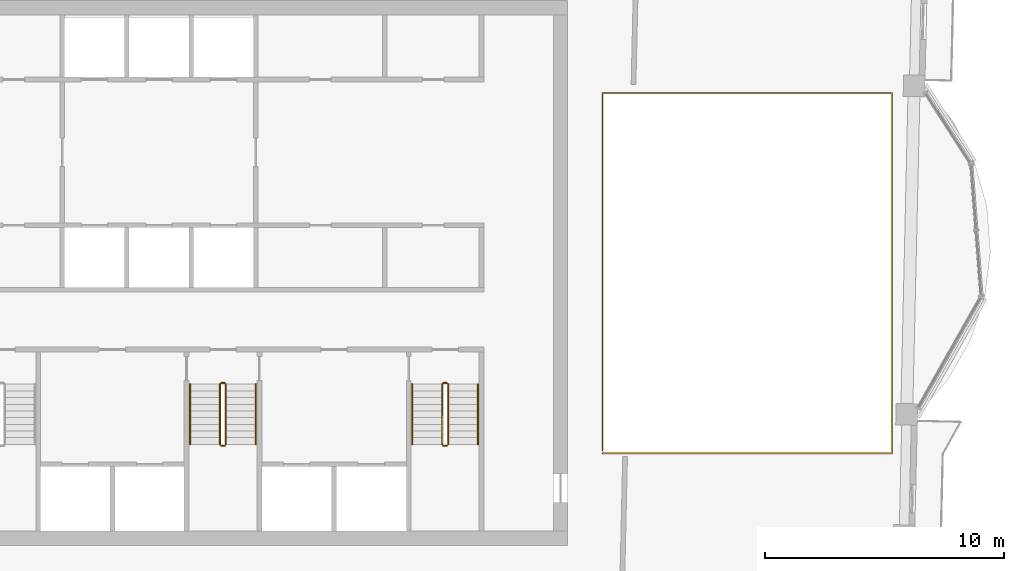
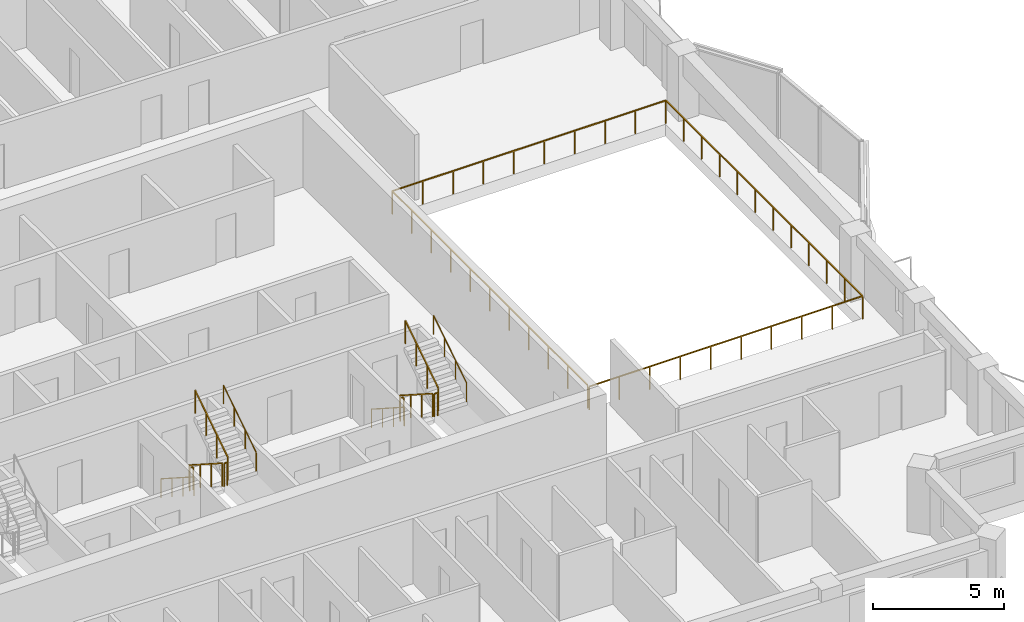
# One storey, part 14 of 15: 13 railings.
"""IFC4 building model written with IfcOpenShell, lengths in metres."""

from ifc_helpers import new_model, si_unit, direction, frame, origin, origin_2d, place, context, subcontext, project, spatial, rectangle, circle, extrude, material, type_object, element, save


model = new_model("IFC4")

# Units and contexts
model_context = context("Model", 3, precision=1e-05, world=origin(), true_north=direction((0.0, 1.0)))
body_context = subcontext(model_context, "Body", "Model", "MODEL_VIEW")
ifc_project = project(units=[si_unit("LENGTHUNIT", "METRE"), si_unit("AREAUNIT", "SQUARE_METRE"), si_unit("VOLUMEUNIT", "CUBIC_METRE"), si_unit("PLANEANGLEUNIT", "RADIAN"), si_unit("MASSUNIT", "GRAM", prefix="KILO")], contexts=[model_context])

# Site, building, storey
site_placement = place(None, origin())
site = spatial("IfcSite", under=ifc_project, at=site_placement, CompositionType="ELEMENT")
building_placement = place(site_placement, origin())
building = spatial("IfcBuilding", under=site, at=building_placement, Name="Mangrove Gate Tower", CompositionType="ELEMENT")
storey_placement = place(building_placement, frame((0.0, 0.0, 309.699951171875)))
storey = spatial("IfcBuildingStorey", under=building, at=storey_placement, Name="L79", CompositionType="ELEMENT", Elevation=309.699951171875)

# Railings
ifc_material_1 = material(Name="Stainless steel grade 316 with laminated glass infill", Category="steel")
railing_type_1 = type_object("IfcRailingType", Name="Balcony guard 1100", PredefinedType="GUARDRAIL", material=ifc_material_1)
railing_1_placement = place(storey_placement, frame((15.860107421875, -7.5400390625, 0.0)))
element("IfcRailing", 1, at=railing_1_placement, inside=storey, type_object=railing_type_1, Name="GUARD L79 atrium", PredefinedType="GUARDRAIL", context=body_context, shape_type="SweptSolid", body=[
    extrude(rectangle(XDim=0.048095703125, YDim=0.048095703125, at=origin_2d()), frame((0.0, 0.0, 1.076171875), z_axis=(1.0, 0.0, 0.0), x_axis=(0.0, 1.0, 0.0)), (0.0, 0.0, 1.0), 12.101806640625),
    extrude(rectangle(XDim=0.048095703125, YDim=0.048095703125, at=origin_2d()), frame((12.101806640625, 0.0, 1.076171875), z_axis=(0.0, 1.0, 0.0), x_axis=(-1.0, 0.0, 0.0)), (0.0, 0.0, 1.0), 15.080078125),
    extrude(rectangle(XDim=0.048095703125, YDim=0.048095703125, at=origin_2d()), frame((12.101806640625, 15.080078125, 1.076171875), z_axis=(-1.0, 0.0, 0.0), x_axis=(0.0, -1.0, 0.0)), (0.0, 0.0, 1.0), 12.101806640625),
    extrude(rectangle(XDim=0.048095703125, YDim=0.048095703125, at=origin_2d()), frame((0.0, 15.080078125, 1.076171875), z_axis=(0.0, -1.0, 0.0), x_axis=(1.0, 0.0, 0.0)), (0.0, 0.0, 1.0), 14.9599609375),
    extrude(rectangle(XDim=0.0419921875, YDim=0.0419921875, at=origin_2d()), origin(), (0.0, 0.0, 1.0), 1.052001953125),
    extrude(rectangle(XDim=0.0419921875, YDim=0.0419921875, at=origin_2d()), frame((1.3447265625, 0.0, 0.0)), (0.0, 0.0, 1.0), 1.052001953125),
    extrude(rectangle(XDim=0.0419921875, YDim=0.0419921875, at=origin_2d()), frame((2.689208984375, 0.0, 0.0)), (0.0, 0.0, 1.0), 1.052001953125),
    extrude(rectangle(XDim=0.0419921875, YDim=0.0419921875, at=origin_2d()), frame((4.033935546875, 0.0, 0.0)), (0.0, 0.0, 1.0), 1.052001953125),
    extrude(rectangle(XDim=0.0419921875, YDim=0.0419921875, at=origin_2d()), frame((5.378662109375, 0.0, 0.0)), (0.0, 0.0, 1.0), 1.052001953125),
    extrude(rectangle(XDim=0.0419921875, YDim=0.0419921875, at=origin_2d()), frame((6.72314453125, 0.0, 0.0)), (0.0, 0.0, 1.0), 1.052001953125),
    extrude(rectangle(XDim=0.0419921875, YDim=0.0419921875, at=origin_2d()), frame((8.06787109375, 0.0, 0.0)), (0.0, 0.0, 1.0), 1.052001953125),
    extrude(rectangle(XDim=0.0419921875, YDim=0.0419921875, at=origin_2d()), frame((9.41259765625, 0.0, 0.0)), (0.0, 0.0, 1.0), 1.052001953125),
    extrude(rectangle(XDim=0.0419921875, YDim=0.0419921875, at=origin_2d()), frame((10.757080078125, 0.0, 0.0)), (0.0, 0.0, 1.0), 1.052001953125),
    extrude(rectangle(XDim=0.0419921875, YDim=0.0419921875, at=origin_2d()), frame((12.101806640625, 0.0, 0.0)), (0.0, 0.0, 1.0), 1.052001953125),
    extrude(rectangle(XDim=0.0419921875, YDim=0.0419921875, at=origin_2d()), frame((12.101806640625, 1.370849609375, 0.0)), (0.0, 0.0, 1.0), 1.052001953125),
    extrude(rectangle(XDim=0.0419921875, YDim=0.0419921875, at=origin_2d()), frame((12.101806640625, 2.741943359375, 0.0)), (0.0, 0.0, 1.0), 1.052001953125),
    extrude(rectangle(XDim=0.0419921875, YDim=0.0419921875, at=origin_2d()), frame((12.101806640625, 4.11279296875, 0.0)), (0.0, 0.0, 1.0), 1.052001953125),
    extrude(rectangle(XDim=0.0419921875, YDim=0.0419921875, at=origin_2d()), frame((12.101806640625, 5.483642578125, 0.0)), (0.0, 0.0, 1.0), 1.052001953125),
    extrude(rectangle(XDim=0.0419921875, YDim=0.0419921875, at=origin_2d()), frame((12.101806640625, 6.8544921875, 0.0)), (0.0, 0.0, 1.0), 1.052001953125),
    extrude(rectangle(XDim=0.0419921875, YDim=0.0419921875, at=origin_2d()), frame((12.101806640625, 8.2255859375, 0.0)), (0.0, 0.0, 1.0), 1.052001953125),
    extrude(rectangle(XDim=0.0419921875, YDim=0.0419921875, at=origin_2d()), frame((12.101806640625, 9.596435546875, 0.0)), (0.0, 0.0, 1.0), 1.052001953125),
    extrude(rectangle(XDim=0.0419921875, YDim=0.0419921875, at=origin_2d()), frame((12.101806640625, 10.96728515625, 0.0)), (0.0, 0.0, 1.0), 1.052001953125),
    extrude(rectangle(XDim=0.0419921875, YDim=0.0419921875, at=origin_2d()), frame((12.101806640625, 12.338134765625, 0.0)), (0.0, 0.0, 1.0), 1.052001953125),
    extrude(rectangle(XDim=0.0419921875, YDim=0.0419921875, at=origin_2d()), frame((12.101806640625, 13.709228515625, 0.0)), (0.0, 0.0, 1.0), 1.052001953125),
    extrude(rectangle(XDim=0.0419921875, YDim=0.0419921875, at=origin_2d()), frame((12.101806640625, 15.080078125, 0.0)), (0.0, 0.0, 1.0), 1.052001953125),
    extrude(rectangle(XDim=0.0419921875, YDim=0.0419921875, at=origin_2d()), frame((10.757080078125, 15.080078125, 0.0)), (0.0, 0.0, 1.0), 1.052001953125),
    extrude(rectangle(XDim=0.0419921875, YDim=0.0419921875, at=origin_2d()), frame((9.41259765625, 15.080078125, 0.0)), (0.0, 0.0, 1.0), 1.052001953125),
    extrude(rectangle(XDim=0.0419921875, YDim=0.0419921875, at=origin_2d()), frame((8.06787109375, 15.080078125, 0.0)), (0.0, 0.0, 1.0), 1.052001953125),
    extrude(rectangle(XDim=0.0419921875, YDim=0.0419921875, at=origin_2d()), frame((6.72314453125, 15.080078125, 0.0)), (0.0, 0.0, 1.0), 1.052001953125),
    extrude(rectangle(XDim=0.0419921875, YDim=0.0419921875, at=origin_2d()), frame((5.378662109375, 15.080078125, 0.0)), (0.0, 0.0, 1.0), 1.052001953125),
    extrude(rectangle(XDim=0.0419921875, YDim=0.0419921875, at=origin_2d()), frame((4.033935546875, 15.080078125, 0.0)), (0.0, 0.0, 1.0), 1.052001953125),
    extrude(rectangle(XDim=0.0419921875, YDim=0.0419921875, at=origin_2d()), frame((2.689208984375, 15.080078125, 0.0)), (0.0, 0.0, 1.0), 1.052001953125),
    extrude(rectangle(XDim=0.0419921875, YDim=0.0419921875, at=origin_2d()), frame((1.3447265625, 15.080078125, 0.0)), (0.0, 0.0, 1.0), 1.052001953125),
    extrude(rectangle(XDim=0.0419921875, YDim=0.0419921875, at=origin_2d()), frame((0.0, 15.080078125, 0.0)), (0.0, 0.0, 1.0), 1.052001953125),
    extrude(rectangle(XDim=0.0419921875, YDim=0.0419921875, at=origin_2d()), frame((0.0, 13.583984375, 0.0)), (0.0, 0.0, 1.0), 1.052001953125),
    extrude(rectangle(XDim=0.0419921875, YDim=0.0419921875, at=origin_2d()), frame((0.0, 12.088134765625, 0.0)), (0.0, 0.0, 1.0), 1.052001953125),
    extrude(rectangle(XDim=0.0419921875, YDim=0.0419921875, at=origin_2d()), frame((0.0, 10.592041015625, 0.0)), (0.0, 0.0, 1.0), 1.052001953125),
    extrude(rectangle(XDim=0.0419921875, YDim=0.0419921875, at=origin_2d()), frame((0.0, 9.09619140625, 0.0)), (0.0, 0.0, 1.0), 1.052001953125),
    extrude(rectangle(XDim=0.0419921875, YDim=0.0419921875, at=origin_2d()), frame((0.0, 7.60009765625, 0.0)), (0.0, 0.0, 1.0), 1.052001953125),
    extrude(rectangle(XDim=0.0419921875, YDim=0.0419921875, at=origin_2d()), frame((0.0, 6.10400390625, 0.0)), (0.0, 0.0, 1.0), 1.052001953125),
    extrude(rectangle(XDim=0.0419921875, YDim=0.0419921875, at=origin_2d()), frame((0.0, 4.608154296875, 0.0)), (0.0, 0.0, 1.0), 1.052001953125),
    extrude(rectangle(XDim=0.0419921875, YDim=0.0419921875, at=origin_2d()), frame((0.0, 3.112060546875, 0.0)), (0.0, 0.0, 1.0), 1.052001953125),
    extrude(rectangle(XDim=0.0419921875, YDim=0.0419921875, at=origin_2d()), frame((0.0, 1.6162109375, 0.0)), (0.0, 0.0, 1.0), 1.052001953125),
    extrude(rectangle(XDim=0.0419921875, YDim=0.0419921875, at=origin_2d()), frame((0.0, 0.1201171875, 0.0)), (0.0, 0.0, 1.0), 1.052001953125),
])
ifc_material_2 = material(Name="Stainless steel 316", Category="steel")
railing_type_2 = type_object("IfcRailingType", Name="Core stair guard 1100", PredefinedType="GUARDRAIL", material=ifc_material_2)
railing_2_placement = place(storey_placement, frame((-0.14990234375, -4.64990234375, 0.179931640625)))
element("IfcRailing", 2, at=railing_2_placement, inside=storey, type_object=railing_type_2, Name="L79 ST2 stair guard 1", PredefinedType="GUARDRAIL", context=body_context, shape_type="SweptSolid", body=[
    extrude(rectangle(XDim=0.048095703125, YDim=0.048095703125, at=origin_2d()), frame((0.0, 0.0, 1.076171875), z_axis=(0.0, -0.841162588446, 0.540782303519), x_axis=(1.0, 0.0, 0.0)), (0.0, 0.0, 1.0), 2.995849609375),
    extrude(rectangle(XDim=0.0419921875, YDim=0.0419921875, at=origin_2d()), origin(), (0.0, 0.0, 1.0), 1.052001953125),
    extrude(rectangle(XDim=0.0419921875, YDim=0.0419921875, at=origin_2d()), frame((0.0, -0.840087890625, 0.5400390625)), (0.0, 0.0, 1.0), 1.052001953125),
    extrude(rectangle(XDim=0.0419921875, YDim=0.0419921875, at=origin_2d()), frame((0.0, -1.679931640625, 1.080078125)), (0.0, 0.0, 1.0), 1.052001953125),
    extrude(rectangle(XDim=0.0419921875, YDim=0.0419921875, at=origin_2d()), frame((0.0, -2.52001953125, 1.6201171875)), (0.0, 0.0, 1.0), 1.052001953125),
])
railing_3_placement = place(storey_placement, frame((-0.10009765625, -7.219970703125, 1.800048828125)))
element("IfcRailing", 3, at=railing_3_placement, inside=storey, type_object=railing_type_2, Name="L79 ST2 stair guard 2", PredefinedType="GUARDRAIL", context=body_context, shape_type="SweptSolid", body=[
    extrude(rectangle(XDim=0.048095703125, YDim=0.048095703125, at=origin_2d()), frame((0.0, 0.0, 1.076171875), z_axis=(1.0, 0.0, 0.0), x_axis=(0.0, 1.0, 0.0)), (0.0, 0.0, 1.0), 0.150146484375),
    extrude(rectangle(XDim=0.0419921875, YDim=0.0419921875, at=origin_2d()), origin(), (0.0, 0.0, 1.0), 1.052001953125),
    extrude(rectangle(XDim=0.0419921875, YDim=0.0419921875, at=origin_2d()), frame((0.150146484375, 0.0, 0.0)), (0.0, 0.0, 1.0), 1.052001953125),
])
railing_4_placement = place(storey_placement, frame((0.10009765625, -7.169921875, 1.97998046875)))
element("IfcRailing", 4, at=railing_4_placement, inside=storey, type_object=railing_type_2, Name="L79 ST2 stair guard 3", PredefinedType="GUARDRAIL", context=body_context, shape_type="SweptSolid", body=[
    extrude(rectangle(XDim=0.048095703125, YDim=0.048095703125, at=origin_2d()), frame((0.0, 0.0, 1.076171875), z_axis=(0.0, 0.841162588446, 0.540782303519), x_axis=(-1.0, 0.0, 0.0)), (0.0, 0.0, 1.0), 2.995849609375),
    extrude(rectangle(XDim=0.0419921875, YDim=0.0419921875, at=origin_2d()), origin(), (0.0, 0.0, 1.0), 1.052001953125),
    extrude(rectangle(XDim=0.0419921875, YDim=0.0419921875, at=origin_2d()), frame((0.0, 0.840087890625, 0.5400390625)), (0.0, 0.0, 1.0), 1.052001953125),
    extrude(rectangle(XDim=0.0419921875, YDim=0.0419921875, at=origin_2d()), frame((0.0, 1.679931640625, 1.080078125)), (0.0, 0.0, 1.0), 1.052001953125),
    extrude(rectangle(XDim=0.0419921875, YDim=0.0419921875, at=origin_2d()), frame((0.0, 2.52001953125, 1.6201171875)), (0.0, 0.0, 1.0), 1.052001953125),
])
railing_5_placement = place(storey_placement, frame((-0.10009765625, -4.60009765625, 0.0)))
element("IfcRailing", 5, at=railing_5_placement, inside=storey, type_object=railing_type_2, Name="L79 ST2 stair guard 4", PredefinedType="GUARDRAIL", context=body_context, shape_type="SweptSolid", body=[
    extrude(rectangle(XDim=0.048095703125, YDim=0.048095703125, at=origin_2d()), frame((0.0, 0.0, 1.076171875), z_axis=(1.0, 0.0, 0.0), x_axis=(0.0, 1.0, 0.0)), (0.0, 0.0, 1.0), 0.150146484375),
    extrude(rectangle(XDim=0.0419921875, YDim=0.0419921875, at=origin_2d()), origin(), (0.0, 0.0, 1.0), 1.052001953125),
    extrude(rectangle(XDim=0.0419921875, YDim=0.0419921875, at=origin_2d()), frame((0.150146484375, 0.0, 0.0)), (0.0, 0.0, 1.0), 1.052001953125),
])
railing_6_placement = place(storey_placement, frame((9.14990234375, -4.64990234375, 0.179931640625)))
element("IfcRailing", 6, at=railing_6_placement, inside=storey, type_object=railing_type_2, Name="L79 ST3 stair guard 1", PredefinedType="GUARDRAIL", context=body_context, shape_type="SweptSolid", body=[
    extrude(rectangle(XDim=0.048095703125, YDim=0.048095703125, at=origin_2d()), frame((0.0, 0.0, 1.076171875), z_axis=(0.0, -0.841162588446, 0.540782303519), x_axis=(1.0, 0.0, 0.0)), (0.0, 0.0, 1.0), 2.995849609375),
    extrude(rectangle(XDim=0.0419921875, YDim=0.0419921875, at=origin_2d()), origin(), (0.0, 0.0, 1.0), 1.052001953125),
    extrude(rectangle(XDim=0.0419921875, YDim=0.0419921875, at=origin_2d()), frame((0.0, -0.840087890625, 0.5400390625)), (0.0, 0.0, 1.0), 1.052001953125),
    extrude(rectangle(XDim=0.0419921875, YDim=0.0419921875, at=origin_2d()), frame((0.0, -1.679931640625, 1.080078125)), (0.0, 0.0, 1.0), 1.052001953125),
    extrude(rectangle(XDim=0.0419921875, YDim=0.0419921875, at=origin_2d()), frame((0.0, -2.52001953125, 1.6201171875)), (0.0, 0.0, 1.0), 1.052001953125),
])
railing_7_placement = place(storey_placement, frame((9.199951171875, -7.219970703125, 1.800048828125)))
element("IfcRailing", 7, at=railing_7_placement, inside=storey, type_object=railing_type_2, Name="L79 ST3 stair guard 2", PredefinedType="GUARDRAIL", context=body_context, shape_type="SweptSolid", body=[
    extrude(rectangle(XDim=0.048095703125, YDim=0.048095703125, at=origin_2d()), frame((0.0, 0.0, 1.076171875), z_axis=(1.0, 0.0, 0.0), x_axis=(0.0, 1.0, 0.0)), (0.0, 0.0, 1.0), 0.150146484375),
    extrude(rectangle(XDim=0.0419921875, YDim=0.0419921875, at=origin_2d()), origin(), (0.0, 0.0, 1.0), 1.052001953125),
    extrude(rectangle(XDim=0.0419921875, YDim=0.0419921875, at=origin_2d()), frame((0.150146484375, 0.0, 0.0)), (0.0, 0.0, 1.0), 1.052001953125),
])
railing_8_placement = place(storey_placement, frame((9.39990234375, -7.169921875, 1.97998046875)))
element("IfcRailing", 8, at=railing_8_placement, inside=storey, type_object=railing_type_2, Name="L79 ST3 stair guard 3", PredefinedType="GUARDRAIL", context=body_context, shape_type="SweptSolid", body=[
    extrude(rectangle(XDim=0.048095703125, YDim=0.048095703125, at=origin_2d()), frame((0.0, 0.0, 1.076171875), z_axis=(0.0, 0.841162588446, 0.540782303519), x_axis=(-1.0, 0.0, 0.0)), (0.0, 0.0, 1.0), 2.995849609375),
    extrude(rectangle(XDim=0.0419921875, YDim=0.0419921875, at=origin_2d()), origin(), (0.0, 0.0, 1.0), 1.052001953125),
    extrude(rectangle(XDim=0.0419921875, YDim=0.0419921875, at=origin_2d()), frame((0.0, 0.840087890625, 0.5400390625)), (0.0, 0.0, 1.0), 1.052001953125),
    extrude(rectangle(XDim=0.0419921875, YDim=0.0419921875, at=origin_2d()), frame((0.0, 1.679931640625, 1.080078125)), (0.0, 0.0, 1.0), 1.052001953125),
    extrude(rectangle(XDim=0.0419921875, YDim=0.0419921875, at=origin_2d()), frame((0.0, 2.52001953125, 1.6201171875)), (0.0, 0.0, 1.0), 1.052001953125),
])
railing_9_placement = place(storey_placement, frame((9.199951171875, -4.60009765625, 0.0)))
element("IfcRailing", 9, at=railing_9_placement, inside=storey, type_object=railing_type_2, Name="L79 ST3 stair guard 4", PredefinedType="GUARDRAIL", context=body_context, shape_type="SweptSolid", body=[
    extrude(rectangle(XDim=0.048095703125, YDim=0.048095703125, at=origin_2d()), frame((0.0, 0.0, 1.076171875), z_axis=(1.0, 0.0, 0.0), x_axis=(0.0, 1.0, 0.0)), (0.0, 0.0, 1.0), 0.150146484375),
    extrude(rectangle(XDim=0.0419921875, YDim=0.0419921875, at=origin_2d()), origin(), (0.0, 0.0, 1.0), 1.052001953125),
    extrude(rectangle(XDim=0.0419921875, YDim=0.0419921875, at=origin_2d()), frame((0.150146484375, 0.0, 0.0)), (0.0, 0.0, 1.0), 1.052001953125),
])
ifc_material_3 = material(Name="Stainless steel 316", Category="steel")
railing_type_3 = type_object("IfcRailingType", Name="Core stair handrail 900", PredefinedType="HANDRAIL", material=ifc_material_3)
railing_10_placement = place(storey_placement, frame((-1.39990234375, -4.64990234375, 0.179931640625)))
element("IfcRailing", 10, at=railing_10_placement, inside=storey, type_object=railing_type_3, Name="L79 ST2 stair handrail 1", PredefinedType="HANDRAIL", context=body_context, shape_type="SweptSolid", body=[
    extrude(circle(Radius=0.02392578125, at=origin_2d()), frame((0.0, 0.0, 0.8759765625), z_axis=(0.0, -0.841162588446, 0.540782303519), x_axis=(1.0, 0.0, 0.0)), (0.0, 0.0, 1.0), 2.995849609375),
    extrude(circle(Radius=0.02099609375, at=origin_2d()), origin(), (0.0, 0.0, 1.0), 0.851806640625),
    extrude(circle(Radius=0.02099609375, at=origin_2d()), frame((0.0, -0.840087890625, 0.5400390625)), (0.0, 0.0, 1.0), 0.851806640625),
    extrude(circle(Radius=0.02099609375, at=origin_2d()), frame((0.0, -1.679931640625, 1.080078125)), (0.0, 0.0, 1.0), 0.851806640625),
    extrude(circle(Radius=0.02099609375, at=origin_2d()), frame((0.0, -2.52001953125, 1.6201171875)), (0.0, 0.0, 1.0), 0.851806640625),
])
railing_11_placement = place(storey_placement, frame((1.35009765625, -7.169921875, 1.97998046875)))
element("IfcRailing", 11, at=railing_11_placement, inside=storey, type_object=railing_type_3, Name="L79 ST2 stair handrail 2", PredefinedType="HANDRAIL", context=body_context, shape_type="SweptSolid", body=[
    extrude(circle(Radius=0.02392578125, at=origin_2d()), frame((0.0, 0.0, 0.8759765625), z_axis=(0.0, 0.841162588446, 0.540782303519), x_axis=(-1.0, 0.0, 0.0)), (0.0, 0.0, 1.0), 2.995849609375),
    extrude(circle(Radius=0.02099609375, at=origin_2d()), origin(), (0.0, 0.0, 1.0), 0.851806640625),
    extrude(circle(Radius=0.02099609375, at=origin_2d()), frame((0.0, 0.840087890625, 0.5400390625)), (0.0, 0.0, 1.0), 0.851806640625),
    extrude(circle(Radius=0.02099609375, at=origin_2d()), frame((0.0, 1.679931640625, 1.080078125)), (0.0, 0.0, 1.0), 0.851806640625),
    extrude(circle(Radius=0.02099609375, at=origin_2d()), frame((0.0, 2.52001953125, 1.6201171875)), (0.0, 0.0, 1.0), 0.851806640625),
])
railing_12_placement = place(storey_placement, frame((7.89990234375, -4.64990234375, 0.179931640625)))
element("IfcRailing", 12, at=railing_12_placement, inside=storey, type_object=railing_type_3, Name="L79 ST3 stair handrail 1", PredefinedType="HANDRAIL", context=body_context, shape_type="SweptSolid", body=[
    extrude(circle(Radius=0.02392578125, at=origin_2d()), frame((0.0, 0.0, 0.8759765625), z_axis=(0.0, -0.841162588446, 0.540782303519), x_axis=(1.0, 0.0, 0.0)), (0.0, 0.0, 1.0), 2.995849609375),
    extrude(circle(Radius=0.02099609375, at=origin_2d()), origin(), (0.0, 0.0, 1.0), 0.851806640625),
    extrude(circle(Radius=0.02099609375, at=origin_2d()), frame((0.0, -0.840087890625, 0.5400390625)), (0.0, 0.0, 1.0), 0.851806640625),
    extrude(circle(Radius=0.02099609375, at=origin_2d()), frame((0.0, -1.679931640625, 1.080078125)), (0.0, 0.0, 1.0), 0.851806640625),
    extrude(circle(Radius=0.02099609375, at=origin_2d()), frame((0.0, -2.52001953125, 1.6201171875)), (0.0, 0.0, 1.0), 0.851806640625),
])
railing_13_placement = place(storey_placement, frame((10.64990234375, -7.169921875, 1.97998046875)))
element("IfcRailing", 13, at=railing_13_placement, inside=storey, type_object=railing_type_3, Name="L79 ST3 stair handrail 2", PredefinedType="HANDRAIL", context=body_context, shape_type="SweptSolid", body=[
    extrude(circle(Radius=0.02392578125, at=origin_2d()), frame((0.0, 0.0, 0.8759765625), z_axis=(0.0, 0.841162588446, 0.540782303519), x_axis=(-1.0, 0.0, 0.0)), (0.0, 0.0, 1.0), 2.995849609375),
    extrude(circle(Radius=0.02099609375, at=origin_2d()), origin(), (0.0, 0.0, 1.0), 0.851806640625),
    extrude(circle(Radius=0.02099609375, at=origin_2d()), frame((0.0, 0.840087890625, 0.5400390625)), (0.0, 0.0, 1.0), 0.851806640625),
    extrude(circle(Radius=0.02099609375, at=origin_2d()), frame((0.0, 1.679931640625, 1.080078125)), (0.0, 0.0, 1.0), 0.851806640625),
    extrude(circle(Radius=0.02099609375, at=origin_2d()), frame((0.0, 2.52001953125, 1.6201171875)), (0.0, 0.0, 1.0), 0.851806640625),
])

save(model, "model.ifc")
